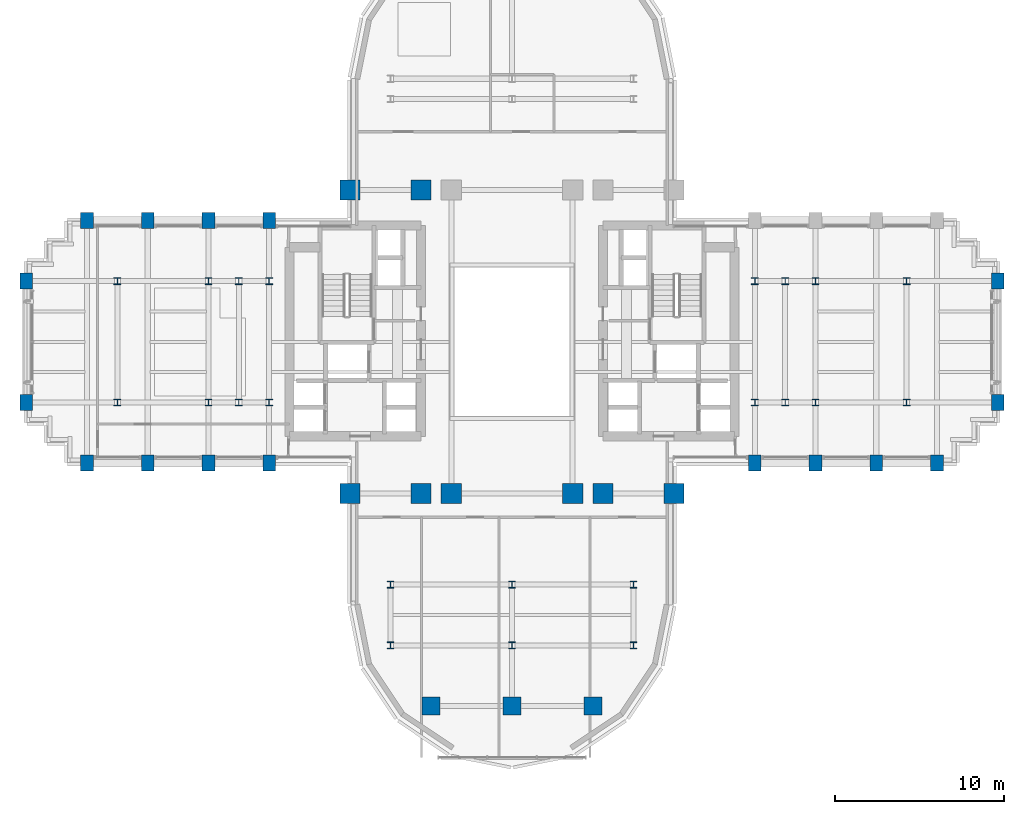
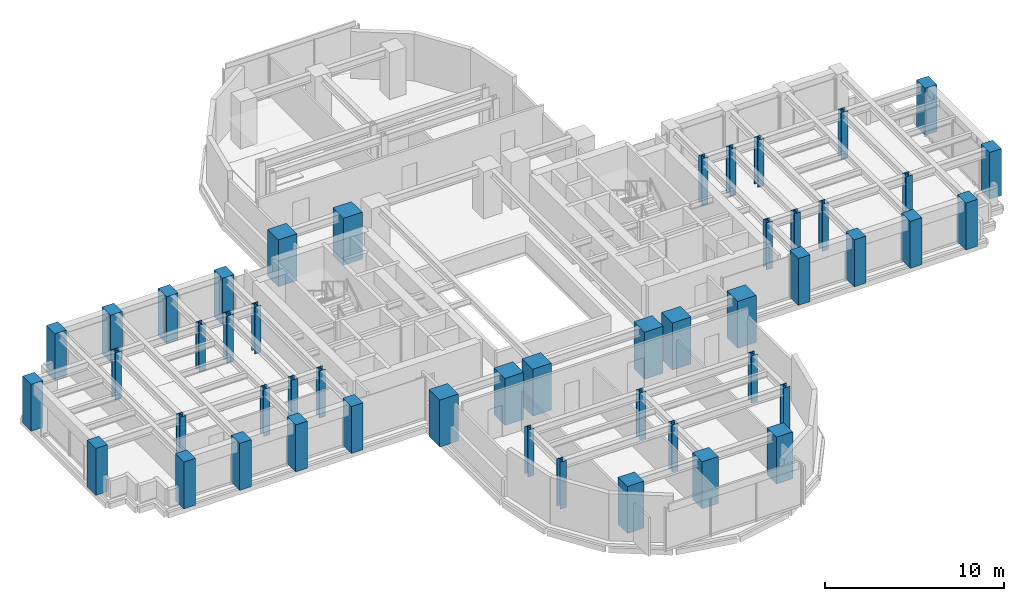
# One storey, part 1 of 16: 49 columns.
"""IFC4 building model written with IfcOpenShell, lengths in metres."""

import ifcopenshell
import ifcopenshell.guid

model = None  # the IFC model being written
_history = None  # IfcOwnerHistory: only IFC2X3 demands one
_inside = {}  # id of a spatial element -> (the spatial element, [elements in it])
_under = {}  # id of a project, library or spatial element -> (it, [spatial elements below it])
_declared = {}  # id of a project -> (the project, [libraries it declares])
_typed = {}  # id of a type object -> (the type object, [elements of that type])
_made_of = {}  # id of a material, layer set ... -> (it, [elements and type objects made of it])


def new_model(schema):
    """Start an empty IFC model of exactly this schema.

    Asked for "IFC4X3", IfcOpenShell would pick the latest addendum, in which some entities
    have other attributes; the version numbers below select the first issue.
    IFC2X3 requires an IfcOwnerHistory on every rooted entity: one is made here for all.
    """
    global model, _history
    if schema == "IFC4X3":
        model = ifcopenshell.file(schema_version=(4, 3, 0, 0))
    else:
        model = ifcopenshell.file(schema=schema)
    _inside.clear()
    _under.clear()
    _declared.clear()
    _typed.clear()
    _made_of.clear()
    _history = None
    if model.schema == "IFC2X3":
        org = make("IfcOrganization", Name="unknown")
        user = make(
            "IfcPersonAndOrganization",
            ThePerson=make("IfcPerson", FamilyName="unknown"),
            TheOrganization=org,
        )
        app = make(
            "IfcApplication",
            ApplicationDeveloper=org,
            Version="unknown",
            ApplicationFullName="unknown",
            ApplicationIdentifier="unknown",
        )
        _history = make(
            "IfcOwnerHistory",
            OwningUser=user,
            OwningApplication=app,
            ChangeAction="ADDED",
            CreationDate=0,
        )
    return model


def make(cls, **values):
    """One entity of the class cls with the attributes given. An attribute that is None is left unset."""
    return model.create_entity(
        cls, **{name: value for name, value in values.items() if value is not None}
    )


def rooted(cls, **values):
    """An entity with a GlobalId (a new one), such as an element, a storey or a relation."""
    return make(cls, GlobalId=ifcopenshell.guid.new(), OwnerHistory=_history, **values)


def si_unit(unit_type, name, prefix=None):
    """IfcSIUnit, for example si_unit("LENGTHUNIT", "METRE", prefix="MILLI")."""
    return make("IfcSIUnit", UnitType=unit_type, Prefix=prefix, Name=name)


def assignment(units):
    """IfcUnitAssignment: the units of a project."""
    return None if units is None else make("IfcUnitAssignment", Units=units)


def point(xyz):
    """IfcCartesianPoint."""
    return None if xyz is None else make("IfcCartesianPoint", Coordinates=xyz)


def direction(xyz):
    """IfcDirection."""
    return None if xyz is None else make("IfcDirection", DirectionRatios=xyz)


def frame(location, z_axis=None, x_axis=None):
    """IfcAxis2Placement3D, a coordinate frame: its origin and axes. An axis left out is left unset."""
    return make(
        "IfcAxis2Placement3D",
        Location=point(location),
        Axis=direction(z_axis),
        RefDirection=direction(x_axis),
    )


def frame_2d(location, x_axis=None):
    """IfcAxis2Placement2D, a coordinate frame in the plane: its origin and x axis."""
    return make(
        "IfcAxis2Placement2D", Location=point(location), RefDirection=direction(x_axis)
    )


def origin():
    """The frame at (0, 0, 0) with its axes left unset."""
    return frame((0.0, 0.0, 0.0))


def origin_2d():
    """The frame at (0, 0) in the plane with its x axis left unset."""
    return frame_2d((0.0, 0.0))


def place(relative_to, where):
    """IfcLocalPlacement: puts the frame where relative to a parent placement (None: the world)."""
    return make(
        "IfcLocalPlacement", PlacementRelTo=relative_to, RelativePlacement=where
    )


def context(
    kind, dimensions, precision=None, world=None, true_north=None, identifier=None
):
    """IfcGeometricRepresentationContext, for example the 3D "Model" context."""
    return make(
        "IfcGeometricRepresentationContext",
        ContextIdentifier=identifier,
        ContextType=kind,
        CoordinateSpaceDimension=dimensions,
        Precision=precision,
        WorldCoordinateSystem=world,
        TrueNorth=true_north,
    )


def subcontext(parent, identifier, kind, view, scale=None):
    """IfcGeometricRepresentationSubContext, for example "Body" below "Model"."""
    return make(
        "IfcGeometricRepresentationSubContext",
        ContextIdentifier=identifier,
        ContextType=kind,
        ParentContext=parent,
        TargetScale=scale,
        TargetView=view,
    )


def project(units=None, contexts=None):
    """IfcProject with its units and contexts."""
    return rooted(
        "IfcProject",
        Name="project",
        RepresentationContexts=contexts,
        UnitsInContext=assignment(units),
    )


def spatial(cls, under=None, at=None, **own):
    """A site, building, storey or space (cls), placed at a placement, below another one or the project."""
    s = rooted(cls, ObjectPlacement=at, **own)
    if under is not None:
        _under.setdefault(under.id(), (under, []))[1].append(s)
    return s


def profile(cls, at=None, kind="AREA", **sizes):
    """A parametric profile (cls). Its sizes go by their IFC names, for example OverallWidth=200.0."""
    return make(cls, ProfileType=kind, Position=at, **sizes)


def rectangle(**sizes):
    """IfcRectangleProfileDef."""
    return profile("IfcRectangleProfileDef", **sizes)


def i_section(**sizes):
    """IfcIShapeProfileDef."""
    return profile("IfcIShapeProfileDef", **sizes)


def extrude(swept, where, along, depth):
    """IfcExtrudedAreaSolid: the profile swept, set in the frame where, extruded along a direction by depth."""
    return make(
        "IfcExtrudedAreaSolid",
        SweptArea=swept,
        Position=where,
        ExtrudedDirection=direction(along),
        Depth=depth,
    )


def shape(context_of_items, identifier, shape_type, items):
    """IfcShapeRepresentation: the items that make up one representation, for example the "Body"."""
    return make(
        "IfcShapeRepresentation",
        ContextOfItems=context_of_items,
        RepresentationIdentifier=identifier,
        RepresentationType=shape_type,
        Items=items,
    )


def source(mapping_origin, context_of_items, identifier, shape_type, items):
    """IfcRepresentationMap: a shape defined once, which mapped items show again and again."""
    return make(
        "IfcRepresentationMap",
        MappingOrigin=mapping_origin,
        MappedRepresentation=shape(context_of_items, identifier, shape_type, items),
    )


def transform(
    local_origin,
    x_axis=None,
    y_axis=None,
    z_axis=None,
    scale=None,
    scale2=None,
    scale3=None,
    uniform=True,
):
    """IfcCartesianTransformationOperator3D, or its non-uniform kind. x_axis, y_axis, z_axis: its Axis1, 2, 3."""
    if uniform:
        return make(
            "IfcCartesianTransformationOperator3D",
            Axis1=direction(x_axis),
            Axis2=direction(y_axis),
            LocalOrigin=point(local_origin),
            Scale=scale,
            Axis3=direction(z_axis),
        )
    return make(
        "IfcCartesianTransformationOperator3DnonUniform",
        Axis1=direction(x_axis),
        Axis2=direction(y_axis),
        LocalOrigin=point(local_origin),
        Scale=scale,
        Axis3=direction(z_axis),
        Scale2=scale2,
        Scale3=scale3,
    )


def mapped(mapping_source, mapping_target):
    """IfcMappedItem: shows the shape of a source again, moved by a transform."""
    return make(
        "IfcMappedItem", MappingSource=mapping_source, MappingTarget=mapping_target
    )


def material(Name=None, Category=None):
    """IfcMaterial."""
    return make("IfcMaterial", Name=Name, Category=Category)


def material_profile(
    of_material, cross_section, Name=None, Category=None, Priority=None
):
    """IfcMaterialProfile: a cross section and its material."""
    return make(
        "IfcMaterialProfile",
        Name=Name,
        Material=of_material,
        Profile=cross_section,
        Priority=Priority,
        Category=Category,
    )


def profile_set(profiles, Name=None, composite=None):
    """IfcMaterialProfileSet."""
    return make(
        "IfcMaterialProfileSet",
        Name=Name,
        MaterialProfiles=profiles,
        CompositeProfile=composite,
    )


def made_of(thing, what):
    """Note that an element or type object is made of a material, layer set ...; save() writes the relation."""
    if what is not None:
        _made_of.setdefault(what.id(), (what, []))[1].append(thing)
    return thing


def type_object(cls, material=None, **own):
    """A type object (cls), such as IfcWallType, which elements share."""
    return made_of(rooted(cls, **own), material)


def element(
    cls,
    number,
    at=None,
    inside=None,
    cuts=None,
    type_object=None,
    material=None,
    context=None,
    identifier="Body",
    shape_type=None,
    held_by="IfcProductDefinitionShape",
    body=None,
    shapes=None,
    **own,
):
    """One element of the class cls, such as IfcWall. Its Tag is "e" and its number.

    at: its placement. inside: the storey or other place that contains it. cuts: it is an
    opening in that element (IfcRelVoidsElement). A single representation is given by context,
    identifier, shape_type and body (its items); several are given by shapes. held_by: the class
    of the entity that holds the representations. save() writes the other relations.
    """
    e = rooted(cls, Tag="e%d" % number, ObjectPlacement=at, **own)
    if body is not None:
        shapes = [shape(context, identifier, shape_type, body)]
    if shapes is not None:
        e.Representation = make(held_by, Representations=shapes)
    if inside is not None:
        _inside.setdefault(inside.id(), (inside, []))[1].append(e)
    if cuts is not None:
        rooted(
            "IfcRelVoidsElement", RelatingBuildingElement=cuts, RelatedOpeningElement=e
        )
    if type_object is not None:
        _typed.setdefault(type_object.id(), (type_object, []))[1].append(e)
    return made_of(e, material)


def aggregate(whole, parts):
    """IfcRelAggregates: a whole, such as a stair, and the parts it consists of."""
    return rooted("IfcRelAggregates", RelatingObject=whole, RelatedObjects=parts)


def save(model, path):
    """Write the relations noted so far, then the file.

    IfcRelAggregates (storeys below a building ...), IfcRelContainedInSpatialStructure (elements
    in a storey), IfcRelDefinesByType, IfcRelAssociatesMaterial and IfcRelDeclares: one each for
    every whole, place, type object, material and project.
    """
    for whole, parts in _under.values():
        aggregate(whole, parts)
    for where, things in _inside.values():
        rooted(
            "IfcRelContainedInSpatialStructure",
            RelatedElements=things,
            RelatingStructure=where,
        )
    for kind, things in _typed.values():
        rooted("IfcRelDefinesByType", RelatedObjects=things, RelatingType=kind)
    for what, things in _made_of.values():
        rooted("IfcRelAssociatesMaterial", RelatedObjects=things, RelatingMaterial=what)
    for by, libraries in _declared.values():
        rooted("IfcRelDeclares", RelatingContext=by, RelatedDefinitions=libraries)
    model.write(path)


model = new_model("IFC4")

# Units and contexts
model_context = context("Model", 3, precision=1e-05, world=origin(), true_north=direction((0.0, 1.0)))
body_context = subcontext(model_context, "Body", "Model", "MODEL_VIEW")
ifc_project = project(units=[si_unit("LENGTHUNIT", "METRE"), si_unit("AREAUNIT", "SQUARE_METRE"), si_unit("VOLUMEUNIT", "CUBIC_METRE"), si_unit("PLANEANGLEUNIT", "RADIAN"), si_unit("MASSUNIT", "GRAM", prefix="KILO")], contexts=[model_context])

# Site, building, storey
site_placement = place(None, origin())
site = spatial("IfcSite", under=ifc_project, at=site_placement, CompositionType="ELEMENT")
building_placement = place(site_placement, origin())
building = spatial("IfcBuilding", under=site, at=building_placement, Name="Keilestroom Media Tower", CompositionType="ELEMENT")
storey_placement = place(building_placement, frame((0.0, 0.0, 71.39990234375)))
storey = spatial("IfcBuildingStorey", under=building, at=storey_placement, Name="L18", CompositionType="ELEMENT", Elevation=71.39990234375)

# Columns
ifc_material_1 = material(Name="Precast concrete C40/50", Category="concrete")
ifc_material_profile_1 = material_profile(ifc_material_1, rectangle(XDim=0.75, YDim=0.949951171875, at=origin_2d()), Name="PC 950x750")
ifc_profile_set_1 = profile_set([ifc_material_profile_1], Name="Precast concrete C40/50")
column_type_1 = type_object("IfcColumnType", Name="Structural-Column-PC-950x750", PredefinedType="COLUMN", material=ifc_profile_set_1)
shared_shape_1 = source(origin(), body_context, "Body", "SweptSolid", [
    extrude(rectangle(XDim=0.75, YDim=0.949951171875, at=origin_2d()), origin(), (0.0, 0.0, 1.0), 3.2001953125),
])
for number, where, z_axis, x_axis, name in (
    (1, (-28.800048828125, -3.60009765625, 0.0), (0.0, 0.0, 1.0), (1.0, 0.0, 0.0), "L18 Column PC-1 (-28.8,-3.6)"),
    (2, (-28.800048828125, 3.60009765625, 0.0), (0.0, 0.0, 1.0), (1.0, 0.0, 0.0), "L18 Column PC-1 (-28.8,+3.6)"),
    (3, (-25.199951171875, -7.199951171875, 0.0), (0.0, 0.0, 1.0), (1.0, 0.0, 0.0), "L18 Column PC-1 (-25.2,-7.2)"),
    (4, (-25.199951171875, 7.199951171875, 0.0), (0.0, 0.0, 1.0), (1.0, 0.0, 0.0), "L18 Column PC-1 (-25.2,+7.2)"),
    (5, (-21.60009765625, -7.199951171875, 0.0), (0.0, 0.0, 1.0), (1.0, 0.0, 0.0), "L18 Column PC-1 (-21.6,-7.2)"),
    (6, (-21.60009765625, 7.199951171875, 0.0), (0.0, 0.0, 1.0), (1.0, 0.0, 0.0), "L18 Column PC-1 (-21.6,+7.2)"),
    (7, (-18.0, -7.199951171875, 0.0), (0.0, 0.0, 1.0), (1.0, 0.0, 0.0), "L18 Column PC-1 (-18.0,-7.2)"),
    (8, (-18.0, 7.199951171875, 0.0), (0.0, 0.0, 1.0), (1.0, 0.0, 0.0), "L18 Column PC-1 (-18.0,+7.2)"),
    (9, (-14.39990234375, -7.199951171875, 0.0), (0.0, 0.0, 1.0), (1.0, 0.0, 0.0), "L18 Column PC-1 (-14.4,-7.2)"),
    (10, (-14.39990234375, 7.199951171875, 0.0), (0.0, 0.0, 1.0), (1.0, 0.0, 0.0), "L18 Column PC-1 (-14.4,+7.2)"),
    (11, (14.39990234375, -7.199951171875, 0.0), (0.0, 0.0, 1.0), (1.0, 0.0, 0.0), "L18 Column PC-1 (+14.4,-7.2)"),
    (12, (18.0, -7.199951171875, 0.0), (0.0, 0.0, 1.0), (1.0, 0.0, 0.0), "L18 Column PC-1 (+18.0,-7.2)"),
    (13, (21.60009765625, -7.199951171875, 0.0), (0.0, 0.0, 1.0), (1.0, 0.0, 0.0), "L18 Column PC-1 (+21.6,-7.2)"),
    (14, (25.199951171875, -7.199951171875, 0.0), (0.0, 0.0, 1.0), (1.0, 0.0, 0.0), "L18 Column PC-1 (+25.2,-7.2)"),
    (15, (28.800048828125, -3.60009765625, 0.0), (0.0, 0.0, 1.0), (1.0, 0.0, 0.0), "L18 Column PC-1 (+28.8,-3.6)"),
    (16, (28.800048828125, 3.60009765625, 0.0), (0.0, 0.0, 1.0), (1.0, 0.0, 0.0), "L18 Column PC-1 (+28.8,+3.6)"),
):
    element("IfcColumn", number, at=place(storey_placement, frame(where, z_axis=z_axis, x_axis=x_axis)), inside=storey, type_object=column_type_1, Name=name, PredefinedType="COLUMN", context=body_context, shape_type="MappedRepresentation", body=[
        mapped(shared_shape_1, transform((0.0, 0.0, 0.0), x_axis=(1.0, 0.0, 0.0), y_axis=(0.0, 1.0, 0.0), z_axis=(0.0, 0.0, 1.0), scale=1.0)),
    ])
ifc_material_2 = material(Name="Steel S460", Category="steel")
ifc_material_profile_2 = material_profile(ifc_material_2, i_section(OverallWidth=0.404052734375, OverallDepth=0.406982421875, WebThickness=0.02197265625, FlangeThickness=0.035400390625, at=origin_2d()), Name="HD 400x347")
ifc_profile_set_2 = profile_set([ifc_material_profile_2], Name="Steel S460")
column_type_2 = type_object("IfcColumnType", Name="Structural-Column-HD-400x347", PredefinedType="COLUMN", material=ifc_profile_set_2)
shared_shape_2 = source(origin(), body_context, "Body", "SweptSolid", [
    extrude(i_section(OverallWidth=0.404052734375, OverallDepth=0.406982421875, WebThickness=0.02197265625, FlangeThickness=0.035400390625, at=origin_2d()), origin(), (0.0, 0.0, 1.0), 3.2001953125),
])
for number, where, z_axis, x_axis, name in (
    (17, (-23.39990234375, -3.60009765625, 0.0), (0.0, 0.0, 1.0), (1.0, 0.0, 0.0), "L18 Column SC-2 (-23.4,-3.6)"),
    (18, (-23.39990234375, 3.60009765625, 0.0), (0.0, 0.0, 1.0), (1.0, 0.0, 0.0), "L18 Column SC-2 (-23.4,+3.6)"),
    (19, (-18.0, -3.60009765625, 0.0), (0.0, 0.0, 1.0), (1.0, 0.0, 0.0), "L18 Column SC-2 (-18.0,-3.6)"),
    (20, (-18.0, 3.60009765625, 0.0), (0.0, 0.0, 1.0), (1.0, 0.0, 0.0), "L18 Column SC-2 (-18.0,+3.6)"),
    (21, (-16.199951171875, -3.60009765625, 0.0), (0.0, 0.0, 1.0), (1.0, 0.0, 0.0), "L18 Column SC-2 (-16.2,-3.6)"),
    (22, (-16.199951171875, 3.60009765625, 0.0), (0.0, 0.0, 1.0), (1.0, 0.0, 0.0), "L18 Column SC-2 (-16.2,+3.6)"),
    (23, (-14.39990234375, -3.60009765625, 0.0), (0.0, 0.0, 1.0), (1.0, 0.0, 0.0), "L18 Column SC-2 (-14.4,-3.6)"),
    (24, (-14.39990234375, 3.60009765625, 0.0), (0.0, 0.0, 1.0), (1.0, 0.0, 0.0), "L18 Column SC-2 (-14.4,+3.6)"),
    (25, (-7.199951171875, -18.0, 0.0), (0.0, 0.0, 1.0), (1.0, 0.0, 0.0), "L18 Column SC-2 (-7.2,-18.0)"),
    (26, (-7.199951171875, -14.39990234375, 0.0), (0.0, 0.0, 1.0), (1.0, 0.0, 0.0), "L18 Column SC-2 (-7.2,-14.4)"),
    (27, (0.0, -18.0, 0.0), (0.0, 0.0, 1.0), (1.0, 0.0, 0.0), "L18 Column SC-2 (+0.0,-18.0)"),
    (28, (0.0, -14.39990234375, 0.0), (0.0, 0.0, 1.0), (1.0, 0.0, 0.0), "L18 Column SC-2 (+0.0,-14.4)"),
    (29, (7.199951171875, -18.0, 0.0), (0.0, 0.0, 1.0), (1.0, 0.0, 0.0), "L18 Column SC-2 (+7.2,-18.0)"),
    (30, (7.199951171875, -14.39990234375, 0.0), (0.0, 0.0, 1.0), (1.0, 0.0, 0.0), "L18 Column SC-2 (+7.2,-14.4)"),
    (31, (14.39990234375, -3.60009765625, 0.0), (0.0, 0.0, 1.0), (1.0, 0.0, 0.0), "L18 Column SC-2 (+14.4,-3.6)"),
    (32, (14.39990234375, 3.60009765625, 0.0), (0.0, 0.0, 1.0), (1.0, 0.0, 0.0), "L18 Column SC-2 (+14.4,+3.6)"),
    (33, (16.199951171875, -3.60009765625, 0.0), (0.0, 0.0, 1.0), (1.0, 0.0, 0.0), "L18 Column SC-2 (+16.2,-3.6)"),
    (34, (16.199951171875, 3.60009765625, 0.0), (0.0, 0.0, 1.0), (1.0, 0.0, 0.0), "L18 Column SC-2 (+16.2,+3.6)"),
    (35, (18.0, -3.60009765625, 0.0), (0.0, 0.0, 1.0), (1.0, 0.0, 0.0), "L18 Column SC-2 (+18.0,-3.6)"),
    (36, (18.0, 3.60009765625, 0.0), (0.0, 0.0, 1.0), (1.0, 0.0, 0.0), "L18 Column SC-2 (+18.0,+3.6)"),
    (37, (23.39990234375, -3.60009765625, 0.0), (0.0, 0.0, 1.0), (1.0, 0.0, 0.0), "L18 Column SC-2 (+23.4,-3.6)"),
    (38, (23.39990234375, 3.60009765625, 0.0), (0.0, 0.0, 1.0), (1.0, 0.0, 0.0), "L18 Column SC-2 (+23.4,+3.6)"),
):
    element("IfcColumn", number, at=place(storey_placement, frame(where, z_axis=z_axis, x_axis=x_axis)), inside=storey, type_object=column_type_2, Name=name, PredefinedType="COLUMN", context=body_context, shape_type="MappedRepresentation", body=[
        mapped(shared_shape_2, transform((0.0, 0.0, 0.0), x_axis=(1.0, 0.0, 0.0), y_axis=(0.0, 1.0, 0.0), z_axis=(0.0, 0.0, 1.0), scale=1.0)),
    ])
ifc_material_3 = material(Name="Concrete C70/85", Category="concrete")
ifc_material_profile_3 = material_profile(ifc_material_3, rectangle(XDim=1.199951171875, YDim=1.199951171875, at=origin_2d()), Name="RC 1200x1200")
ifc_profile_set_3 = profile_set([ifc_material_profile_3], Name="Concrete C70/85")
column_type_3 = type_object("IfcColumnType", Name="Structural-Column-RC-1200x1200", PredefinedType="COLUMN", material=ifc_profile_set_3)
shared_shape_3 = source(origin(), body_context, "Body", "SweptSolid", [
    extrude(rectangle(XDim=1.199951171875, YDim=1.199951171875, at=origin_2d()), origin(), (0.0, 0.0, 1.0), 3.2001953125),
])
for number, where, z_axis, x_axis, name in (
    (39, (-9.60009765625, -9.0, 0.0), (0.0, 0.0, 1.0), (1.0, 0.0, 0.0), "L18 Column MC-2 (-9.6,-9.0)"),
    (40, (-9.60009765625, 9.0, 0.0), (0.0, 0.0, 1.0), (1.0, 0.0, 0.0), "L18 Column MC-2 (-9.6,+9.0)"),
    (41, (-5.39990234375, -9.0, 0.0), (0.0, 0.0, 1.0), (1.0, 0.0, 0.0), "L18 Column MC-2 (-5.4,-9.0)"),
    (42, (-5.39990234375, 9.0, 0.0), (0.0, 0.0, 1.0), (1.0, 0.0, 0.0), "L18 Column MC-2 (-5.4,+9.0)"),
    (43, (-3.60009765625, -9.0, 0.0), (0.0, 0.0, 1.0), (1.0, 0.0, 0.0), "L18 Column MC-2 (-3.6,-9.0)"),
    (44, (3.60009765625, -9.0, 0.0), (0.0, 0.0, 1.0), (1.0, 0.0, 0.0), "L18 Column MC-2 (+3.6,-9.0)"),
    (45, (5.39990234375, -9.0, 0.0), (0.0, 0.0, 1.0), (1.0, 0.0, 0.0), "L18 Column MC-2 (+5.4,-9.0)"),
    (46, (9.60009765625, -9.0, 0.0), (0.0, 0.0, 1.0), (1.0, 0.0, 0.0), "L18 Column MC-2 (+9.6,-9.0)"),
):
    element("IfcColumn", number, at=place(storey_placement, frame(where, z_axis=z_axis, x_axis=x_axis)), inside=storey, type_object=column_type_3, Name=name, PredefinedType="COLUMN", context=body_context, shape_type="MappedRepresentation", body=[
        mapped(shared_shape_3, transform((0.0, 0.0, 0.0), x_axis=(1.0, 0.0, 0.0), y_axis=(0.0, 1.0, 0.0), z_axis=(0.0, 0.0, 1.0), scale=1.0)),
    ])
ifc_material_4 = material(Name="Concrete C55/67", Category="concrete")
ifc_material_profile_4 = material_profile(ifc_material_4, rectangle(XDim=1.050048828125, YDim=1.050048828125, at=origin_2d()), Name="RC 1050x1050")
ifc_profile_set_4 = profile_set([ifc_material_profile_4], Name="Concrete C55/67")
column_type_4 = type_object("IfcColumnType", Name="Structural-Column-RC-1050x1050", PredefinedType="COLUMN", material=ifc_profile_set_4)
shared_shape_4 = source(origin(), body_context, "Body", "SweptSolid", [
    extrude(rectangle(XDim=1.050048828125, YDim=1.050048828125, at=origin_2d()), origin(), (0.0, 0.0, 1.0), 3.2001953125),
])
for number, where, z_axis, x_axis, name in (
    (47, (-4.800048828125, -21.60009765625, 0.0), (0.0, 0.0, 1.0), (1.0, 0.0, 0.0), "L18 Column MC-3 (-4.8,-21.6)"),
    (48, (0.0, -21.60009765625, 0.0), (0.0, 0.0, 1.0), (1.0, 0.0, 0.0), "L18 Column MC-3 (+0.0,-21.6)"),
    (49, (4.800048828125, -21.60009765625, 0.0), (0.0, 0.0, 1.0), (1.0, 0.0, 0.0), "L18 Column MC-3 (+4.8,-21.6)"),
):
    element("IfcColumn", number, at=place(storey_placement, frame(where, z_axis=z_axis, x_axis=x_axis)), inside=storey, type_object=column_type_4, Name=name, PredefinedType="COLUMN", context=body_context, shape_type="MappedRepresentation", body=[
        mapped(shared_shape_4, transform((0.0, 0.0, 0.0), x_axis=(1.0, 0.0, 0.0), y_axis=(0.0, 1.0, 0.0), z_axis=(0.0, 0.0, 1.0), scale=1.0)),
    ])

save(model, "model.ifc")
